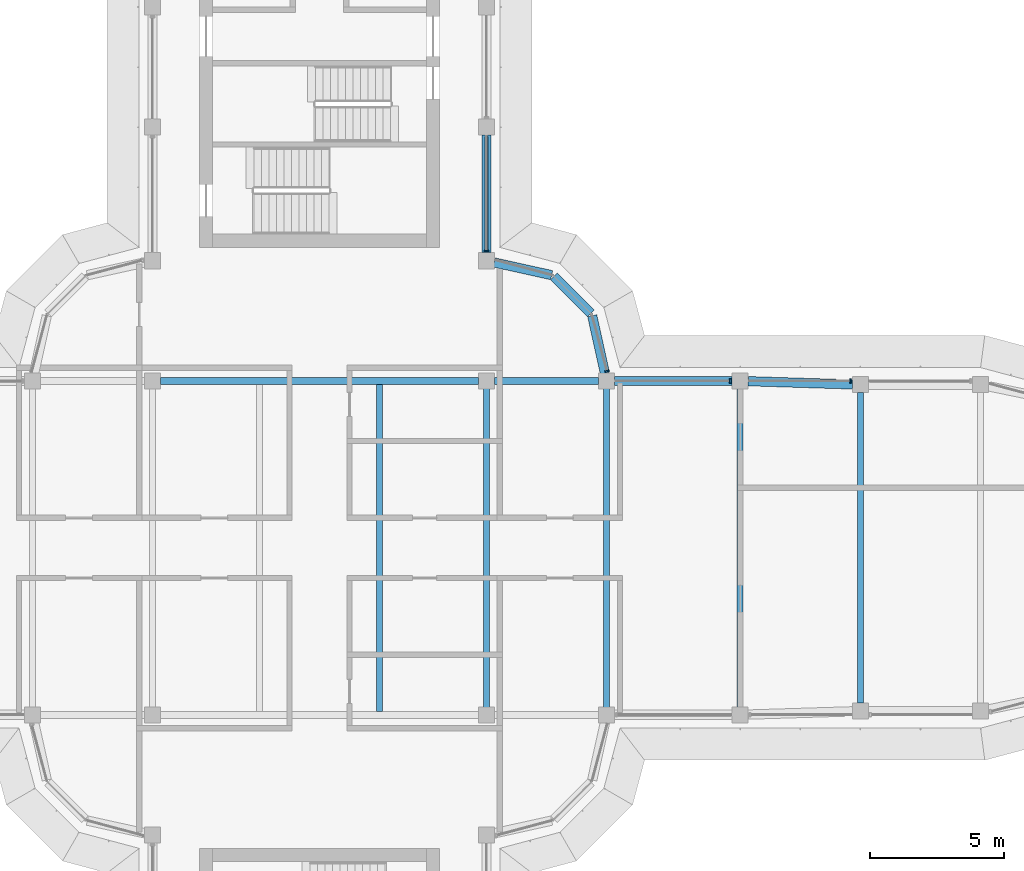
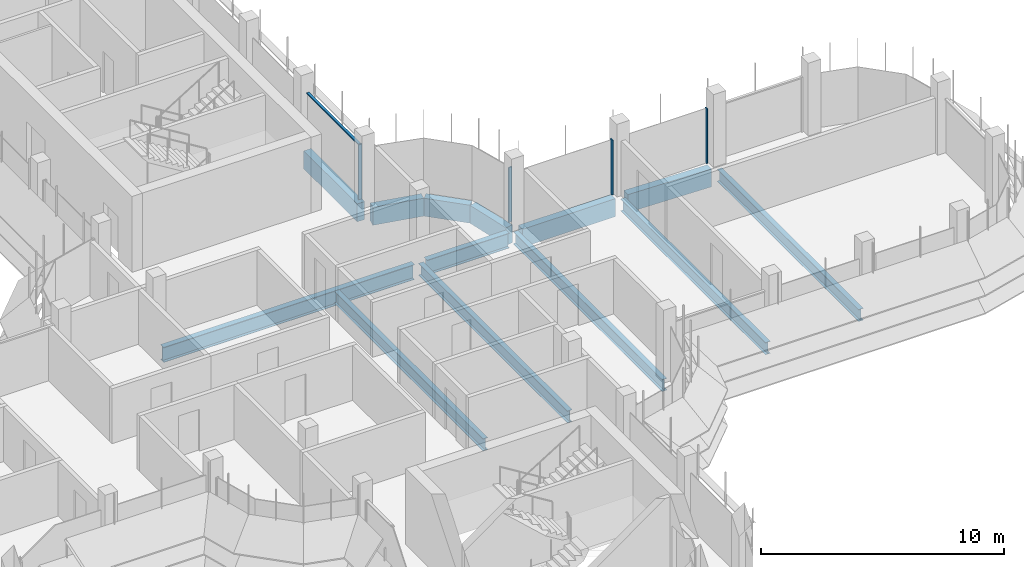
# One storey, part 8 of 19: 13 beams, 5 members, 3 elements without a shape of their own.
"""IFC4 building model written with IfcOpenShell, lengths in metres."""

from ifc_helpers import new_model, si_unit, direction, frame, origin, origin_2d, place, context, subcontext, project, spatial, polyline, rectangle, i_section, outline, extrude, source, transform, mapped, material, material_profile, profile_set, type_object, element, aggregate, save


model = new_model("IFC4")

# Units and contexts
model_context = context("Model", 3, precision=1e-05, world=origin(), true_north=direction((0.0, 1.0)))
body_context = subcontext(model_context, "Body", "Model", "MODEL_VIEW")
ifc_project = project(units=[si_unit("LENGTHUNIT", "METRE"), si_unit("AREAUNIT", "SQUARE_METRE"), si_unit("VOLUMEUNIT", "CUBIC_METRE"), si_unit("PLANEANGLEUNIT", "RADIAN"), si_unit("MASSUNIT", "GRAM", prefix="KILO")], contexts=[model_context])

# Site, building, storey
site_placement = place(None, origin())
site = spatial("IfcSite", under=ifc_project, at=site_placement, CompositionType="ELEMENT")
building_placement = place(site_placement, origin())
building = spatial("IfcBuilding", under=site, at=building_placement, Name="Zarbagh Exchange Tower", CompositionType="ELEMENT")
storey_placement = place(building_placement, frame((0.0, 0.0, 268.800048828125)))
storey = spatial("IfcBuildingStorey", under=building, at=storey_placement, Name="L66", CompositionType="ELEMENT", Elevation=268.800048828125)

# Beams
ifc_material_1 = material(Name="Steel ASTM A992 Gr 50", Category="steel")
ifc_material_profile_1 = material_profile(ifc_material_1, i_section(OverallWidth=0.228271484375, OverallDepth=0.607177734375, WebThickness=0.01123046875, FlangeThickness=0.017333984375, at=origin_2d()), Name="W24X76")
ifc_profile_set_1 = profile_set([ifc_material_profile_1], Name="Steel ASTM A992 Gr 50")
beam_type_1 = type_object("IfcBeamType", Name="Floor beam W24X76", PredefinedType="BEAM", material=ifc_profile_set_1)
for number, where, z_axis, x_axis, name in (
    (1, (2.25, -6.11669921875, -0.45361328125), (0.0, 1.0, 0.0), (-1.0, 0.0, 0.0), "Steel floor beam"),
    (2, (6.25, -6.11669921875, -0.45361328125), (0.0, 1.0, 0.0), (-1.0, 0.0, 0.0), "Steel floor beam"),
    (3, (10.75, -6.11669921875, -0.45361328125), (0.0, 1.0, 0.0), (-1.0, 0.0, 0.0), "Steel floor beam"),
):
    element("IfcBeam", number, at=place(storey_placement, frame(where, z_axis=z_axis, x_axis=x_axis)), inside=storey, type_object=beam_type_1, Name=name, PredefinedType="BEAM", context=body_context, shape_type="SweptSolid", body=[
        extrude(i_section(OverallWidth=0.228271484375, OverallDepth=0.607177734375, WebThickness=0.01123046875, FlangeThickness=0.017333984375, at=origin_2d()), origin(), (0.0, 0.0, 1.0), 12.2333984375),
    ])
beam_1_placement = place(storey_placement, frame((15.75, -5.949951171875, -0.45361328125), z_axis=(0.0, 1.0, 0.0), x_axis=(-1.0, 0.0, 0.0)))
element("IfcBeam", 4, at=beam_1_placement, inside=storey, type_object=beam_type_1, Name="Steel floor beam", PredefinedType="BEAM", context=body_context, shape_type="SweptSolid", body=[
    extrude(i_section(OverallWidth=0.228271484375, OverallDepth=0.607177734375, WebThickness=0.01123046875, FlangeThickness=0.017333984375, at=origin_2d()), origin(), (0.0, 0.0, 1.0), 11.89990234375),
])
beam_2_placement = place(storey_placement, frame((20.25, -5.81005859375, -0.45361328125), z_axis=(0.0, 1.0, 0.0), x_axis=(-1.0, 0.0, 0.0)))
element("IfcBeam", 5, at=beam_2_placement, inside=storey, type_object=beam_type_1, Name="Steel floor beam", PredefinedType="BEAM", context=body_context, shape_type="SweptSolid", body=[
    extrude(i_section(OverallWidth=0.228271484375, OverallDepth=0.607177734375, WebThickness=0.01123046875, FlangeThickness=0.017333984375, at=origin_2d()), origin(), (0.0, 0.0, 1.0), 11.6201171875),
])
ifc_material_profile_2 = material_profile(ifc_material_1, i_section(OverallWidth=0.2666015625, OverallDepth=0.7568359375, WebThickness=0.013916015625, FlangeThickness=0.019287109375, at=origin_2d()), Name="W30X108")
ifc_profile_set_2 = profile_set([ifc_material_profile_2], Name="Steel ASTM A992 Gr 50")
beam_type_2 = type_object("IfcBeamType", Name="Floor girder W30X108", PredefinedType="BEAM", material=ifc_profile_set_2)
beam_3_placement = place(storey_placement, frame((-5.949951171875, 6.25, -0.528564453125), z_axis=(1.0, 0.0, 0.0), x_axis=(0.0, 1.0, 0.0)))
element("IfcBeam", 6, at=beam_3_placement, inside=storey, type_object=beam_type_2, Name="Steel girder", PredefinedType="BEAM", context=body_context, shape_type="SweptSolid", body=[
    extrude(i_section(OverallWidth=0.2666015625, OverallDepth=0.7568359375, WebThickness=0.013916015625, FlangeThickness=0.019287109375, at=origin_2d()), origin(), (0.0, 0.0, 1.0), 11.89990234375),
])
beam_4_placement = place(storey_placement, frame((6.550048828125, 6.25, -0.528564453125), z_axis=(1.0, 0.0, 0.0), x_axis=(0.0, 1.0, 0.0)))
element("IfcBeam", 7, at=beam_4_placement, inside=storey, type_object=beam_type_2, Name="Steel girder", PredefinedType="BEAM", context=body_context, shape_type="SweptSolid", body=[
    extrude(i_section(OverallWidth=0.2666015625, OverallDepth=0.7568359375, WebThickness=0.013916015625, FlangeThickness=0.019287109375, at=origin_2d()), origin(), (0.0, 0.0, 1.0), 3.89990234375),
])
ifc_material_2 = material(Name="Concrete C40/50", Category="concrete")
ifc_material_profile_3 = material_profile(ifc_material_2, rectangle(XDim=0.35009765625, YDim=0.89990234375, at=origin_2d()), Name="RC spandrel beam 350 x 900 C40/50")
ifc_profile_set_3 = profile_set([ifc_material_profile_3], Name="Concrete C40/50")
beam_type_3 = type_object("IfcBeamType", Name="RC spandrel beam 350 x 900 C40/50", PredefinedType="SPANDREL", material=ifc_profile_set_3)
beam_5_placement = place(storey_placement, frame((6.25, 15.449951171875, -0.60009765625), z_axis=(0.0, -1.0, 0.0), x_axis=(1.0, 0.0, 0.0)))
element("IfcBeam", 8, at=beam_5_placement, inside=storey, type_object=beam_type_3, Name="RC spandrel beam", PredefinedType="SPANDREL", context=body_context, shape_type="SweptSolid", body=[
    extrude(rectangle(XDim=0.35009765625, YDim=0.89990234375, at=origin_2d()), origin(), (0.0, 0.0, 1.0), 4.39990234375),
])
beam_6_placement = place(storey_placement, frame((6.54296875, 10.685302734375, -0.60009765625), z_axis=(0.976387662047, -0.216025770228, 0.0), x_axis=(0.216025770228, 0.976387662047, 0.0)))
element("IfcBeam", 9, at=beam_6_placement, inside=storey, type_object=beam_type_3, Name="RC spandrel beam", PredefinedType="SPANDREL", context=body_context, shape_type="SweptSolid", body=[
    extrude(rectangle(XDim=0.35009765625, YDim=0.89990234375, at=origin_2d()), origin(), (0.0, 0.0, 1.0), 2.200439453125),
])
beam_7_placement = place(storey_placement, frame((8.77734375, 10.16259765625, -0.60009765625), z_axis=(0.707106781187, -0.707106781187, 0.0), x_axis=(0.707106781187, 0.707106781187, 0.0)))
element("IfcBeam", 10, at=beam_7_placement, inside=storey, type_object=beam_type_3, Name="RC spandrel beam", PredefinedType="SPANDREL", context=body_context, shape_type="SweptSolid", body=[
    extrude(rectangle(XDim=0.35009765625, YDim=0.89990234375, at=origin_2d()), origin(), (0.0, 0.0, 1.0), 1.958984375),
])
beam_8_placement = place(storey_placement, frame((10.2099609375, 8.69140625, -0.60009765625), z_axis=(0.216025770228, -0.976387662047, 0.0), x_axis=(0.976387662047, 0.216025770228, 0.0)))
element("IfcBeam", 11, at=beam_8_placement, inside=storey, type_object=beam_type_3, Name="RC spandrel beam", PredefinedType="SPANDREL", context=body_context, shape_type="SweptSolid", body=[
    extrude(rectangle(XDim=0.35009765625, YDim=0.89990234375, at=origin_2d()), origin(), (0.0, 0.0, 1.0), 2.200439453125),
])
beam_9_placement = place(storey_placement, frame((11.050048828125, 6.25, -0.60009765625), z_axis=(1.0, 0.0, 0.0), x_axis=(0.0, 1.0, 0.0)))
element("IfcBeam", 12, at=beam_9_placement, inside=storey, type_object=beam_type_3, Name="RC spandrel beam", PredefinedType="SPANDREL", context=body_context, shape_type="SweptSolid", body=[
    extrude(rectangle(XDim=0.35009765625, YDim=0.89990234375, at=origin_2d()), origin(), (0.0, 0.0, 1.0), 4.39990234375),
])
beam_10_placement = place(storey_placement, frame((16.0498046875, 6.24072265625, -0.60009765625), z_axis=(0.999516460907, -0.031094121249, 0.0), x_axis=(0.031094121249, 0.999516460907, 0.0)))
element("IfcBeam", 13, at=beam_10_placement, inside=storey, type_object=beam_type_3, Name="RC spandrel beam", PredefinedType="SPANDREL", context=body_context, shape_type="SweptSolid", body=[
    extrude(rectangle(XDim=0.35009765625, YDim=0.89990234375, at=origin_2d()), origin(), (0.0, 0.0, 1.0), 3.90234375),
])

# Curtain wall, members
ifc_material_3 = material(Name="Anodised aluminium frame and glazing", Category="aluminium")
curtain_wall_type = type_object("IfcCurtainWallType", Name="CWB Ribbon glazing, upper zones", PredefinedType="NOTDEFINED", material=ifc_material_3)
curtain_wall_1_placement = place(storey_placement, origin())
curtain_wall_1 = element("IfcCurtainWall", 14, at=curtain_wall_1_placement, inside=storey, type_object=curtain_wall_type, Name="CWB82 curtain wall", PredefinedType="NOTDEFINED")
ifc_material_4 = material(Name="Anodised aluminium frame", Category="aluminium")
member_type_1 = type_object("IfcMemberType", Name="MUB Mullion, anodised aluminium frame", PredefinedType="MULLION", material=ifc_material_4)
shared_shape_1 = source(origin(), body_context, "Body", "SweptSolid", [
    extrude(outline(polyline([(0.0, -0.080078125), (0.06005859375, -0.080078125), (0.06005859375, 0.080078125), (0.0, 0.080078125), (0.0, -0.080078125)])), origin(), (0.0, 0.0, 1.0), 2.75),
])
placement = place(storey_placement, origin())
member_1 = element("IfcMember", 15, at=placement, type_object=member_type_1, Name="CWB82 mullion 2.1", PredefinedType="MULLION", context=body_context, shape_type="MappedRepresentation", body=[
    mapped(shared_shape_1, transform((19.909912109375, 6.25, 0.0), x_axis=(-1.0, 0.0, 0.0), y_axis=(0.0, -1.0, 0.0), z_axis=(0.0, 0.0, 1.0))),
])
member_2 = element("IfcMember", 16, at=placement, type_object=member_type_1, Name="CWB82 mullion 3.1", PredefinedType="MULLION", context=body_context, shape_type="MappedRepresentation", body=[
    mapped(shared_shape_1, transform((15.409912109375, 6.25, 0.0), x_axis=(-1.0, 0.0, 0.0), y_axis=(0.0, -1.0, 0.0), z_axis=(0.0, 0.0, 1.0))),
])
aggregate(curtain_wall_1, [member_1, member_2])

# Curtain wall, member
curtain_wall_2_placement = place(storey_placement, origin())
curtain_wall_2 = element("IfcCurtainWall", 17, at=curtain_wall_2_placement, inside=storey, type_object=curtain_wall_type, Name="CWB17 curtain wall", PredefinedType="NOTDEFINED")
member_3 = element("IfcMember", 18, at=placement, type_object=member_type_1, Name="CWB17 mullion 1.1", PredefinedType="MULLION", context=body_context, shape_type="MappedRepresentation", body=[
    mapped(shared_shape_1, transform((10.775146484375, 6.590087890625, 0.0), x_axis=(-0.258824779902, 0.965924289636, 0.0), y_axis=(-0.965924289636, -0.258824779902, 0.0), z_axis=(0.0, 0.0, 1.0))),
])
aggregate(curtain_wall_2, [member_3])

# Curtain wall, members
curtain_wall_3_placement = place(storey_placement, origin())
curtain_wall_3 = element("IfcCurtainWall", 19, at=curtain_wall_3_placement, inside=storey, type_object=curtain_wall_type, Name="CWB67 curtain wall", PredefinedType="NOTDEFINED")
member_4 = element("IfcMember", 20, at=placement, type_object=member_type_1, Name="CWB67 mullion 1.1", PredefinedType="MULLION", context=body_context, shape_type="MappedRepresentation", body=[
    mapped(shared_shape_1, transform((6.25, 11.090087890625, 0.0), x_axis=(0.0, 1.0, 0.0), y_axis=(-1.0, 0.0, 0.0), z_axis=(0.0, 0.0, 1.0))),
])
member_type_2 = type_object("IfcMemberType", Name="TRB Transom, anodised aluminium frame", PredefinedType="USERDEFINED", material=ifc_material_4)
shared_shape_2 = source(origin(), body_context, "Body", "SweptSolid", [
    extrude(outline(polyline([(-0.06005859375, -0.06005859375), (0.0, -0.06005859375), (0.0, 0.06005859375), (-0.06005859375, 0.06005859375), (-0.06005859375, -0.06005859375)])), origin(), (0.0, 0.0, 1.0), 4.260009765625),
])
member_5 = element("IfcMember", 21, at=placement, type_object=member_type_2, Name="CWB67 transom 1.1", ObjectType="TRANSOM", PredefinedType="USERDEFINED", context=body_context, shape_type="MappedRepresentation", body=[
    mapped(shared_shape_2, transform((6.25, 11.150146484375, 2.75), x_axis=(0.0, 0.0, 1.0), y_axis=(1.0, 0.0, 0.0), z_axis=(0.0, 1.0, 0.0))),
])
aggregate(curtain_wall_3, [member_4, member_5])

save(model, "model.ifc")
